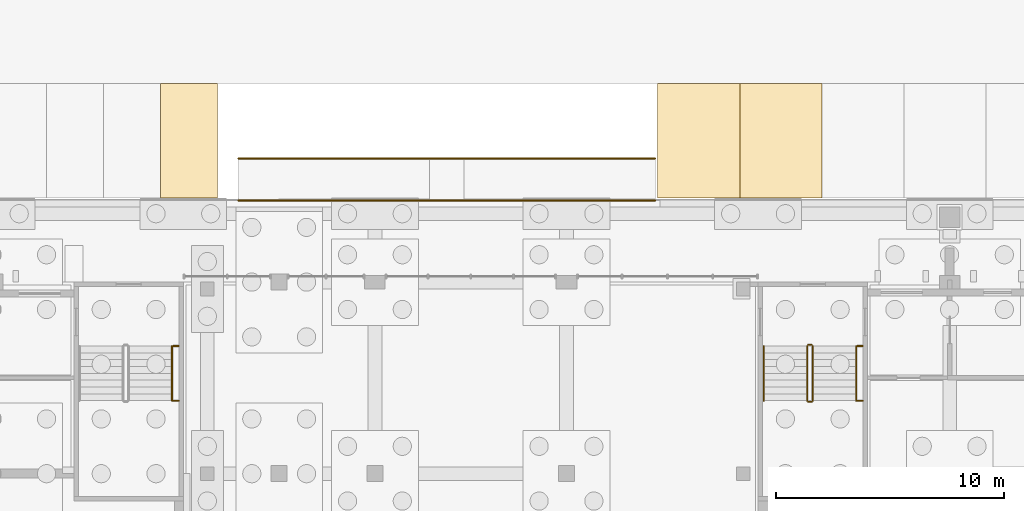
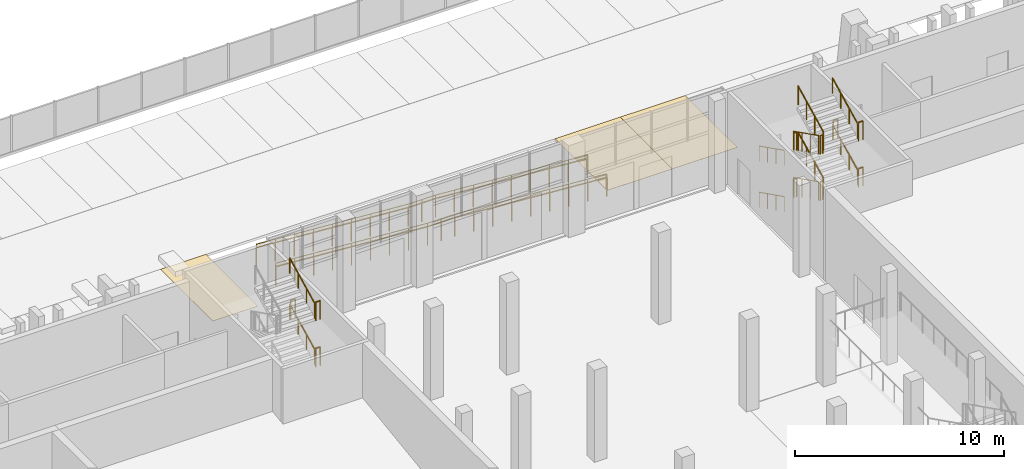
# One storey, part 118 of 129: 24 railings, 3 coverings.
"""IFC4 building model written with IfcOpenShell, lengths in metres."""

from ifc_helpers import new_model, si_unit, direction, frame, origin, origin_2d, place, context, subcontext, project, spatial, polyline, circle, outline, extrude, material, layer, layer_set, type_object, element, save


model = new_model("IFC4")

# Units and contexts
model_context = context("Model", 3, precision=1e-05, world=origin(), true_north=direction((0.0, 1.0)))
body_context = subcontext(model_context, "Body", "Model", "MODEL_VIEW")
ifc_project = project(units=[si_unit("LENGTHUNIT", "METRE"), si_unit("AREAUNIT", "SQUARE_METRE"), si_unit("VOLUMEUNIT", "CUBIC_METRE"), si_unit("PLANEANGLEUNIT", "RADIAN"), si_unit("MASSUNIT", "GRAM", prefix="KILO")], contexts=[model_context])

# Site, building, storey
site_placement = place(None, origin())
site = spatial("IfcSite", under=ifc_project, at=site_placement, CompositionType="ELEMENT")
building_placement = place(site_placement, origin())
building = spatial("IfcBuilding", under=site, at=building_placement, Name="Kiln Court Media Centre", CompositionType="ELEMENT")
storey_placement = place(building_placement, origin())
storey = spatial("IfcBuildingStorey", under=building, at=storey_placement, Name="L00", CompositionType="ELEMENT", Elevation=0.0)

# Railings
ifc_material_1 = material(Name="Steel S275", Category="steel")
railing_type_1 = type_object("IfcRailingType", Name="Steel S275 stair guard 1100", PredefinedType="GUARDRAIL", material=ifc_material_1)
for number, where, name in (
    (1, (33.14990234375, 62.0, 1.35009765625), "ST-08 landing edge guard"),
    (2, (33.14990234375, 64.39990234375, 2.699951171875), "ST-08 landing edge guard"),
    (3, (33.14990234375, 62.0, 4.050048828125), "ST-08 landing edge guard"),
):
    element("IfcRailing", number, at=place(storey_placement, frame(where)), inside=storey, type_object=railing_type_1, Name=name, PredefinedType="GUARDRAIL", context=body_context, shape_type="SweptSolid", body=[
        extrude(circle(Radius=0.02392578125, at=origin_2d()), frame((0.0, 0.0, 1.076171875), z_axis=(1.0, 0.0, 0.0), x_axis=(0.0, 1.0, 0.0)), (0.0, 0.0, 1.0), 0.25),
        extrude(circle(Radius=0.02099609375, at=origin_2d()), origin(), (0.0, 0.0, 1.0), 1.052001953125),
        extrude(circle(Radius=0.02099609375, at=origin_2d()), frame((0.25, 0.0, 0.0)), (0.0, 0.0, 1.0), 1.052001953125),
    ])
railing_1_placement = place(storey_placement, frame((60.949951171875, 64.39990234375, 0.14990234375)))
element("IfcRailing", 4, at=railing_1_placement, inside=storey, type_object=railing_type_1, Name="ST-11 stair guard", PredefinedType="GUARDRAIL", context=body_context, shape_type="SweptSolid", body=[
    extrude(circle(Radius=0.02392578125, at=origin_2d()), frame((0.0, 0.0, 1.076171875), z_axis=(0.0, -0.894390793703, 0.44728638269), x_axis=(1.0, 0.0, 0.0)), (0.0, 0.0, 1.0), 2.683349609375),
    extrude(circle(Radius=0.02099609375, at=origin_2d()), origin(), (0.0, 0.0, 1.0), 1.052001953125),
    extrude(circle(Radius=0.02099609375, at=origin_2d()), frame((0.0, -0.800048828125, 0.400146484375)), (0.0, 0.0, 1.0), 1.052001953125),
    extrude(circle(Radius=0.02099609375, at=origin_2d()), frame((0.0, -1.599853515625, 0.800048828125)), (0.0, 0.0, 1.0), 1.052001953125),
    extrude(circle(Radius=0.02099609375, at=origin_2d()), frame((0.0, -2.39990234375, 1.2001953125)), (0.0, 0.0, 1.0), 1.052001953125),
])
railing_2_placement = place(storey_placement, frame((61.0, 61.949951171875, 1.35009765625)))
element("IfcRailing", 5, at=railing_2_placement, inside=storey, type_object=railing_type_1, Name="ST-11 stair guard", PredefinedType="GUARDRAIL", context=body_context, shape_type="SweptSolid", body=[
    extrude(circle(Radius=0.02392578125, at=origin_2d()), frame((0.0, 0.0, 1.076171875), z_axis=(1.0, 0.0, 0.0), x_axis=(0.0, 1.0, 0.0)), (0.0, 0.0, 1.0), 0.14990234375),
    extrude(circle(Radius=0.02099609375, at=origin_2d()), origin(), (0.0, 0.0, 1.0), 1.052001953125),
    extrude(circle(Radius=0.02099609375, at=origin_2d()), frame((0.14990234375, 0.0, 0.0)), (0.0, 0.0, 1.0), 1.052001953125),
])
railing_3_placement = place(storey_placement, frame((61.199951171875, 62.0, 1.5)))
element("IfcRailing", 6, at=railing_3_placement, inside=storey, type_object=railing_type_1, Name="ST-11 stair guard", PredefinedType="GUARDRAIL", context=body_context, shape_type="SweptSolid", body=[
    extrude(circle(Radius=0.02392578125, at=origin_2d()), frame((0.0, 0.0, 1.076171875), z_axis=(0.0, 0.894427191, 0.4472135955), x_axis=(-1.0, 0.0, 0.0)), (0.0, 0.0, 1.0), 2.68310546875),
    extrude(circle(Radius=0.02099609375, at=origin_2d()), origin(), (0.0, 0.0, 1.0), 1.052001953125),
    extrude(circle(Radius=0.02099609375, at=origin_2d()), frame((0.0, 0.800048828125, 0.39990234375)), (0.0, 0.0, 1.0), 1.052001953125),
    extrude(circle(Radius=0.02099609375, at=origin_2d()), frame((0.0, 1.599853515625, 0.800048828125)), (0.0, 0.0, 1.0), 1.052001953125),
    extrude(circle(Radius=0.02099609375, at=origin_2d()), frame((0.0, 2.39990234375, 1.199951171875)), (0.0, 0.0, 1.0), 1.052001953125),
])
railing_4_placement = place(storey_placement, frame((61.0, 64.449951171875, 2.699951171875)))
element("IfcRailing", 7, at=railing_4_placement, inside=storey, type_object=railing_type_1, Name="ST-11 stair guard", PredefinedType="GUARDRAIL", context=body_context, shape_type="SweptSolid", body=[
    extrude(circle(Radius=0.02392578125, at=origin_2d()), frame((0.0, 0.0, 1.076171875), z_axis=(1.0, 0.0, 0.0), x_axis=(0.0, 1.0, 0.0)), (0.0, 0.0, 1.0), 0.14990234375),
    extrude(circle(Radius=0.02099609375, at=origin_2d()), origin(), (0.0, 0.0, 1.0), 1.052001953125),
    extrude(circle(Radius=0.02099609375, at=origin_2d()), frame((0.14990234375, 0.0, 0.0)), (0.0, 0.0, 1.0), 1.052001953125),
])
railing_5_placement = place(storey_placement, frame((60.949951171875, 64.39990234375, 2.85009765625)))
element("IfcRailing", 8, at=railing_5_placement, inside=storey, type_object=railing_type_1, Name="ST-11 stair guard", PredefinedType="GUARDRAIL", context=body_context, shape_type="SweptSolid", body=[
    extrude(circle(Radius=0.02392578125, at=origin_2d()), frame((0.0, 0.0, 1.076171875), z_axis=(0.0, -0.894427191, 0.4472135955), x_axis=(1.0, 0.0, 0.0)), (0.0, 0.0, 1.0), 2.68310546875),
    extrude(circle(Radius=0.02099609375, at=origin_2d()), origin(), (0.0, 0.0, 1.0), 1.052001953125),
    extrude(circle(Radius=0.02099609375, at=origin_2d()), frame((0.0, -0.800048828125, 0.39990234375)), (0.0, 0.0, 1.0), 1.052001953125),
    extrude(circle(Radius=0.02099609375, at=origin_2d()), frame((0.0, -1.599853515625, 0.800048828125)), (0.0, 0.0, 1.0), 1.052001953125),
    extrude(circle(Radius=0.02099609375, at=origin_2d()), frame((0.0, -2.39990234375, 1.199951171875)), (0.0, 0.0, 1.0), 1.052001953125),
])
railing_6_placement = place(storey_placement, frame((61.0, 61.949951171875, 4.050048828125)))
element("IfcRailing", 9, at=railing_6_placement, inside=storey, type_object=railing_type_1, Name="ST-11 stair guard", PredefinedType="GUARDRAIL", context=body_context, shape_type="SweptSolid", body=[
    extrude(circle(Radius=0.02392578125, at=origin_2d()), frame((0.0, 0.0, 1.076171875), z_axis=(1.0, 0.0, 0.0), x_axis=(0.0, 1.0, 0.0)), (0.0, 0.0, 1.0), 0.14990234375),
    extrude(circle(Radius=0.02099609375, at=origin_2d()), origin(), (0.0, 0.0, 1.0), 1.052001953125),
    extrude(circle(Radius=0.02099609375, at=origin_2d()), frame((0.14990234375, 0.0, 0.0)), (0.0, 0.0, 1.0), 1.052001953125),
])
railing_7_placement = place(storey_placement, frame((61.199951171875, 62.0, 4.199951171875)))
element("IfcRailing", 10, at=railing_7_placement, inside=storey, type_object=railing_type_1, Name="ST-11 stair guard", PredefinedType="GUARDRAIL", context=body_context, shape_type="SweptSolid", body=[
    extrude(circle(Radius=0.02392578125, at=origin_2d()), frame((0.0, 0.0, 1.076171875), z_axis=(0.0, 0.894427191, 0.4472135955), x_axis=(-1.0, 0.0, 0.0)), (0.0, 0.0, 1.0), 2.68310546875),
    extrude(circle(Radius=0.02099609375, at=origin_2d()), origin(), (0.0, 0.0, 1.0), 1.052001953125),
    extrude(circle(Radius=0.02099609375, at=origin_2d()), frame((0.0, 0.800048828125, 0.39990234375)), (0.0, 0.0, 1.0), 1.052001953125),
    extrude(circle(Radius=0.02099609375, at=origin_2d()), frame((0.0, 1.599853515625, 0.800048828125)), (0.0, 0.0, 1.0), 1.052001953125),
    extrude(circle(Radius=0.02099609375, at=origin_2d()), frame((0.0, 2.39990234375, 1.199951171875)), (0.0, 0.0, 1.0), 1.052001953125),
])
railing_8_placement = place(storey_placement, frame((61.0, 64.449951171875, 0.0)))
element("IfcRailing", 11, at=railing_8_placement, inside=storey, type_object=railing_type_1, Name="ST-11 stair guard", PredefinedType="GUARDRAIL", context=body_context, shape_type="SweptSolid", body=[
    extrude(circle(Radius=0.02392578125, at=origin_2d()), frame((0.0, 0.0, 1.076171875), z_axis=(1.0, 0.0, 0.0), x_axis=(0.0, 1.0, 0.0)), (0.0, 0.0, 1.0), 0.14990234375),
    extrude(circle(Radius=0.02099609375, at=origin_2d()), origin(), (0.0, 0.0, 1.0), 1.052001953125),
    extrude(circle(Radius=0.02099609375, at=origin_2d()), frame((0.14990234375, 0.0, 0.0)), (0.0, 0.0, 1.0), 1.052001953125),
])
for number, where, name in (
    (12, (63.14990234375, 62.0, 1.35009765625), "ST-11 landing edge guard"),
    (13, (63.14990234375, 64.39990234375, 2.699951171875), "ST-11 landing edge guard"),
    (14, (63.14990234375, 62.0, 4.050048828125), "ST-11 landing edge guard"),
):
    element("IfcRailing", number, at=place(storey_placement, frame(where)), inside=storey, type_object=railing_type_1, Name=name, PredefinedType="GUARDRAIL", context=body_context, shape_type="SweptSolid", body=[
        extrude(circle(Radius=0.02392578125, at=origin_2d()), frame((0.0, 0.0, 1.076171875), z_axis=(1.0, 0.0, 0.0), x_axis=(0.0, 1.0, 0.0)), (0.0, 0.0, 1.0), 0.25),
        extrude(circle(Radius=0.02099609375, at=origin_2d()), origin(), (0.0, 0.0, 1.0), 1.052001953125),
        extrude(circle(Radius=0.02099609375, at=origin_2d()), frame((0.25, 0.0, 0.0)), (0.0, 0.0, 1.0), 1.052001953125),
    ])
ifc_material_2 = material(Name="Steel S275", Category="steel")
railing_type_2 = type_object("IfcRailingType", Name="Steel S275 stair handrail 900", PredefinedType="HANDRAIL", material=ifc_material_2)
for number, where, name in (
    (15, (33.10009765625, 62.0, 1.5), "ST-08 stair handrail"),
    (16, (33.10009765625, 62.0, 4.199951171875), "ST-08 stair handrail"),
):
    element("IfcRailing", number, at=place(storey_placement, frame(where)), inside=storey, type_object=railing_type_2, Name=name, PredefinedType="HANDRAIL", context=body_context, shape_type="SweptSolid", body=[
        extrude(circle(Radius=0.02392578125, at=origin_2d()), frame((0.0, 0.0, 0.8759765625), z_axis=(0.0, 0.894427191, 0.4472135955), x_axis=(-1.0, 0.0, 0.0)), (0.0, 0.0, 1.0), 2.68310546875),
        extrude(circle(Radius=0.02099609375, at=origin_2d()), origin(), (0.0, 0.0, 1.0), 0.851806640625),
        extrude(circle(Radius=0.02099609375, at=origin_2d()), frame((0.0, 0.800048828125, 0.39990234375)), (0.0, 0.0, 1.0), 0.851806640625),
        extrude(circle(Radius=0.02099609375, at=origin_2d()), frame((0.0, 1.599853515625, 0.800048828125)), (0.0, 0.0, 1.0), 0.851806640625),
        extrude(circle(Radius=0.02099609375, at=origin_2d()), frame((0.0, 2.39990234375, 1.199951171875)), (0.0, 0.0, 1.0), 0.851806640625),
    ])
railing_9_placement = place(storey_placement, frame((59.050048828125, 64.39990234375, 0.14990234375)))
element("IfcRailing", 17, at=railing_9_placement, inside=storey, type_object=railing_type_2, Name="ST-11 stair handrail", PredefinedType="HANDRAIL", context=body_context, shape_type="SweptSolid", body=[
    extrude(circle(Radius=0.02392578125, at=origin_2d()), frame((0.0, 0.0, 0.8759765625), z_axis=(0.0, -0.894390793703, 0.44728638269), x_axis=(1.0, 0.0, 0.0)), (0.0, 0.0, 1.0), 2.683349609375),
    extrude(circle(Radius=0.02099609375, at=origin_2d()), origin(), (0.0, 0.0, 1.0), 0.851806640625),
    extrude(circle(Radius=0.02099609375, at=origin_2d()), frame((0.0, -0.800048828125, 0.400146484375)), (0.0, 0.0, 1.0), 0.851806640625),
    extrude(circle(Radius=0.02099609375, at=origin_2d()), frame((0.0, -1.599853515625, 0.800048828125)), (0.0, 0.0, 1.0), 0.851806640625),
    extrude(circle(Radius=0.02099609375, at=origin_2d()), frame((0.0, -2.39990234375, 1.2001953125)), (0.0, 0.0, 1.0), 0.851806640625),
])
railing_10_placement = place(storey_placement, frame((63.10009765625, 62.0, 1.5)))
element("IfcRailing", 18, at=railing_10_placement, inside=storey, type_object=railing_type_2, Name="ST-11 stair handrail", PredefinedType="HANDRAIL", context=body_context, shape_type="SweptSolid", body=[
    extrude(circle(Radius=0.02392578125, at=origin_2d()), frame((0.0, 0.0, 0.8759765625), z_axis=(0.0, 0.894427191, 0.4472135955), x_axis=(-1.0, 0.0, 0.0)), (0.0, 0.0, 1.0), 2.68310546875),
    extrude(circle(Radius=0.02099609375, at=origin_2d()), origin(), (0.0, 0.0, 1.0), 0.851806640625),
    extrude(circle(Radius=0.02099609375, at=origin_2d()), frame((0.0, 0.800048828125, 0.39990234375)), (0.0, 0.0, 1.0), 0.851806640625),
    extrude(circle(Radius=0.02099609375, at=origin_2d()), frame((0.0, 1.599853515625, 0.800048828125)), (0.0, 0.0, 1.0), 0.851806640625),
    extrude(circle(Radius=0.02099609375, at=origin_2d()), frame((0.0, 2.39990234375, 1.199951171875)), (0.0, 0.0, 1.0), 0.851806640625),
])
railing_11_placement = place(storey_placement, frame((59.050048828125, 64.39990234375, 2.85009765625)))
element("IfcRailing", 19, at=railing_11_placement, inside=storey, type_object=railing_type_2, Name="ST-11 stair handrail", PredefinedType="HANDRAIL", context=body_context, shape_type="SweptSolid", body=[
    extrude(circle(Radius=0.02392578125, at=origin_2d()), frame((0.0, 0.0, 0.8759765625), z_axis=(0.0, -0.894427191, 0.4472135955), x_axis=(1.0, 0.0, 0.0)), (0.0, 0.0, 1.0), 2.68310546875),
    extrude(circle(Radius=0.02099609375, at=origin_2d()), origin(), (0.0, 0.0, 1.0), 0.851806640625),
    extrude(circle(Radius=0.02099609375, at=origin_2d()), frame((0.0, -0.800048828125, 0.39990234375)), (0.0, 0.0, 1.0), 0.851806640625),
    extrude(circle(Radius=0.02099609375, at=origin_2d()), frame((0.0, -1.599853515625, 0.800048828125)), (0.0, 0.0, 1.0), 0.851806640625),
    extrude(circle(Radius=0.02099609375, at=origin_2d()), frame((0.0, -2.39990234375, 1.199951171875)), (0.0, 0.0, 1.0), 0.851806640625),
])
railing_12_placement = place(storey_placement, frame((63.10009765625, 62.0, 4.199951171875)))
element("IfcRailing", 20, at=railing_12_placement, inside=storey, type_object=railing_type_2, Name="ST-11 stair handrail", PredefinedType="HANDRAIL", context=body_context, shape_type="SweptSolid", body=[
    extrude(circle(Radius=0.02392578125, at=origin_2d()), frame((0.0, 0.0, 0.8759765625), z_axis=(0.0, 0.894427191, 0.4472135955), x_axis=(-1.0, 0.0, 0.0)), (0.0, 0.0, 1.0), 2.68310546875),
    extrude(circle(Radius=0.02099609375, at=origin_2d()), origin(), (0.0, 0.0, 1.0), 0.851806640625),
    extrude(circle(Radius=0.02099609375, at=origin_2d()), frame((0.0, 0.800048828125, 0.39990234375)), (0.0, 0.0, 1.0), 0.851806640625),
    extrude(circle(Radius=0.02099609375, at=origin_2d()), frame((0.0, 1.599853515625, 0.800048828125)), (0.0, 0.0, 1.0), 0.851806640625),
    extrude(circle(Radius=0.02099609375, at=origin_2d()), frame((0.0, 2.39990234375, 1.199951171875)), (0.0, 0.0, 1.0), 0.851806640625),
])
ifc_material_3 = material(Name="Steel ASTM A572 Gr 50", Category="steel")
railing_type_3 = type_object("IfcRailingType", Name="Steel guard rail 1100", PredefinedType="GUARDRAIL", material=ifc_material_3)
railing_13_placement = place(storey_placement, frame((36.0, 70.779052734375, -0.199951171875)))
element("IfcRailing", 21, at=railing_13_placement, inside=storey, type_object=railing_type_3, Name="Rear court ramp guard 1", PredefinedType="GUARDRAIL", context=body_context, shape_type="SweptSolid", body=[
    extrude(circle(Radius=0.02392578125, at=origin_2d()), frame((0.0, 0.0, 1.27587890625), z_axis=(0.997457816785, 0.0, -0.071259411546), x_axis=(0.0, 1.0, 0.0)), (0.0, 0.0, 1.0), 8.42138671875),
    extrude(circle(Radius=0.02392578125, at=origin_2d()), frame((8.39990234375, 0.0, 0.67578125), z_axis=(1.0, 0.0, 0.0), x_axis=(0.0, 1.0, 0.0)), (0.0, 0.0, 1.0), 1.5),
    extrude(circle(Radius=0.02392578125, at=origin_2d()), frame((9.89990234375, 0.0, 0.67578125), z_axis=(0.997460024076, 0.0, -0.071228508128), x_axis=(0.0, 1.0, 0.0)), (0.0, 0.0, 1.0), 8.421630859375),
    extrude(circle(Radius=0.02099609375, at=origin_2d()), origin(), (0.0, 0.0, 1.0), 1.251953125),
    extrude(circle(Radius=0.02099609375, at=origin_2d()), frame((1.050048828125, 0.0, -0.074951171875)), (0.0, 0.0, 1.0), 1.251953125),
    extrude(circle(Radius=0.02099609375, at=origin_2d()), frame((2.10009765625, 0.0, -0.14990234375)), (0.0, 0.0, 1.0), 1.251953125),
    extrude(circle(Radius=0.02099609375, at=origin_2d()), frame((3.14990234375, 0.0, -0.22509765625)), (0.0, 0.0, 1.0), 1.251953125),
    extrude(circle(Radius=0.02099609375, at=origin_2d()), frame((4.199951171875, 0.0, -0.300048828125)), (0.0, 0.0, 1.0), 1.251953125),
    extrude(circle(Radius=0.02099609375, at=origin_2d()), frame((5.25, 0.0, -0.375)), (0.0, 0.0, 1.0), 1.251953125),
    extrude(circle(Radius=0.02099609375, at=origin_2d()), frame((6.2998046875, 0.0, -0.4501953125)), (0.0, 0.0, 1.0), 1.251953125),
    extrude(circle(Radius=0.02099609375, at=origin_2d()), frame((7.349853515625, 0.0, -0.525146484375)), (0.0, 0.0, 1.0), 1.251953125),
    extrude(circle(Radius=0.02099609375, at=origin_2d()), frame((8.39990234375, 0.0, -0.60009765625)), (0.0, 0.0, 1.0), 1.251953125),
    extrude(circle(Radius=0.02099609375, at=origin_2d()), frame((9.14990234375, 0.0, -0.60009765625)), (0.0, 0.0, 1.0), 1.251953125),
    extrude(circle(Radius=0.02099609375, at=origin_2d()), frame((9.89990234375, 0.0, -0.60009765625)), (0.0, 0.0, 1.0), 1.251953125),
    extrude(circle(Radius=0.02099609375, at=origin_2d()), frame((10.949951171875, 0.0, -0.675048828125)), (0.0, 0.0, 1.0), 1.251953125),
    extrude(circle(Radius=0.02099609375, at=origin_2d()), frame((12.0, 0.0, -0.75)), (0.0, 0.0, 1.0), 1.251953125),
    extrude(circle(Radius=0.02099609375, at=origin_2d()), frame((13.050048828125, 0.0, -0.824951171875)), (0.0, 0.0, 1.0), 1.251953125),
    extrude(circle(Radius=0.02099609375, at=origin_2d()), frame((14.10009765625, 0.0, -0.89990234375)), (0.0, 0.0, 1.0), 1.251953125),
    extrude(circle(Radius=0.02099609375, at=origin_2d()), frame((15.14990234375, 0.0, -0.97509765625)), (0.0, 0.0, 1.0), 1.251953125),
    extrude(circle(Radius=0.02099609375, at=origin_2d()), frame((16.199951171875, 0.0, -1.050048828125)), (0.0, 0.0, 1.0), 1.251953125),
    extrude(circle(Radius=0.02099609375, at=origin_2d()), frame((17.25, 0.0, -1.125)), (0.0, 0.0, 1.0), 1.251953125),
    extrude(circle(Radius=0.02099609375, at=origin_2d()), frame((18.300048828125, 0.0, -1.199951171875)), (0.0, 0.0, 1.0), 1.251953125),
])
railing_14_placement = place(storey_placement, frame((36.0, 72.62109375, -0.199951171875)))
element("IfcRailing", 22, at=railing_14_placement, inside=storey, type_object=railing_type_3, Name="Rear court ramp guard 2", PredefinedType="GUARDRAIL", context=body_context, shape_type="SweptSolid", body=[
    extrude(circle(Radius=0.02392578125, at=origin_2d()), frame((0.0, 0.0, 1.27587890625), z_axis=(0.997457816785, 0.0, -0.071259411546), x_axis=(0.0, 1.0, 0.0)), (0.0, 0.0, 1.0), 8.42138671875),
    extrude(circle(Radius=0.02392578125, at=origin_2d()), frame((8.39990234375, 0.0, 0.67578125), z_axis=(1.0, 0.0, 0.0), x_axis=(0.0, 1.0, 0.0)), (0.0, 0.0, 1.0), 1.5),
    extrude(circle(Radius=0.02392578125, at=origin_2d()), frame((9.89990234375, 0.0, 0.67578125), z_axis=(0.997460024076, 0.0, -0.071228508128), x_axis=(0.0, 1.0, 0.0)), (0.0, 0.0, 1.0), 8.421630859375),
    extrude(circle(Radius=0.02099609375, at=origin_2d()), origin(), (0.0, 0.0, 1.0), 1.251953125),
    extrude(circle(Radius=0.02099609375, at=origin_2d()), frame((1.050048828125, 0.0, -0.074951171875)), (0.0, 0.0, 1.0), 1.251953125),
    extrude(circle(Radius=0.02099609375, at=origin_2d()), frame((2.10009765625, 0.0, -0.14990234375)), (0.0, 0.0, 1.0), 1.251953125),
    extrude(circle(Radius=0.02099609375, at=origin_2d()), frame((3.14990234375, 0.0, -0.22509765625)), (0.0, 0.0, 1.0), 1.251953125),
    extrude(circle(Radius=0.02099609375, at=origin_2d()), frame((4.199951171875, 0.0, -0.300048828125)), (0.0, 0.0, 1.0), 1.251953125),
    extrude(circle(Radius=0.02099609375, at=origin_2d()), frame((5.25, 0.0, -0.375)), (0.0, 0.0, 1.0), 1.251953125),
    extrude(circle(Radius=0.02099609375, at=origin_2d()), frame((6.2998046875, 0.0, -0.4501953125)), (0.0, 0.0, 1.0), 1.251953125),
    extrude(circle(Radius=0.02099609375, at=origin_2d()), frame((7.349853515625, 0.0, -0.525146484375)), (0.0, 0.0, 1.0), 1.251953125),
    extrude(circle(Radius=0.02099609375, at=origin_2d()), frame((8.39990234375, 0.0, -0.60009765625)), (0.0, 0.0, 1.0), 1.251953125),
    extrude(circle(Radius=0.02099609375, at=origin_2d()), frame((9.14990234375, 0.0, -0.60009765625)), (0.0, 0.0, 1.0), 1.251953125),
    extrude(circle(Radius=0.02099609375, at=origin_2d()), frame((9.89990234375, 0.0, -0.60009765625)), (0.0, 0.0, 1.0), 1.251953125),
    extrude(circle(Radius=0.02099609375, at=origin_2d()), frame((10.949951171875, 0.0, -0.675048828125)), (0.0, 0.0, 1.0), 1.251953125),
    extrude(circle(Radius=0.02099609375, at=origin_2d()), frame((12.0, 0.0, -0.75)), (0.0, 0.0, 1.0), 1.251953125),
    extrude(circle(Radius=0.02099609375, at=origin_2d()), frame((13.050048828125, 0.0, -0.824951171875)), (0.0, 0.0, 1.0), 1.251953125),
    extrude(circle(Radius=0.02099609375, at=origin_2d()), frame((14.10009765625, 0.0, -0.89990234375)), (0.0, 0.0, 1.0), 1.251953125),
    extrude(circle(Radius=0.02099609375, at=origin_2d()), frame((15.14990234375, 0.0, -0.97509765625)), (0.0, 0.0, 1.0), 1.251953125),
    extrude(circle(Radius=0.02099609375, at=origin_2d()), frame((16.199951171875, 0.0, -1.050048828125)), (0.0, 0.0, 1.0), 1.251953125),
    extrude(circle(Radius=0.02099609375, at=origin_2d()), frame((17.25, 0.0, -1.125)), (0.0, 0.0, 1.0), 1.251953125),
    extrude(circle(Radius=0.02099609375, at=origin_2d()), frame((18.300048828125, 0.0, -1.199951171875)), (0.0, 0.0, 1.0), 1.251953125),
])
ifc_material_4 = material(Name="Steel ASTM A572 Gr 50", Category="steel")
railing_type_4 = type_object("IfcRailingType", Name="Steel handrail 900", PredefinedType="HANDRAIL", material=ifc_material_4)
railing_15_placement = place(storey_placement, frame((36.0, 70.779052734375, -0.199951171875)))
element("IfcRailing", 23, at=railing_15_placement, inside=storey, type_object=railing_type_4, Name="Rear court ramp handrail 1", PredefinedType="HANDRAIL", context=body_context, shape_type="SweptSolid", body=[
    extrude(circle(Radius=0.02392578125, at=origin_2d()), frame((0.0, 0.0, 1.076171875), z_axis=(0.997457816785, 0.0, -0.071259411546), x_axis=(0.0, 1.0, 0.0)), (0.0, 0.0, 1.0), 8.42138671875),
    extrude(circle(Radius=0.02392578125, at=origin_2d()), frame((8.39990234375, 0.0, 0.47607421875), z_axis=(1.0, 0.0, 0.0), x_axis=(0.0, 1.0, 0.0)), (0.0, 0.0, 1.0), 1.5),
    extrude(circle(Radius=0.02392578125, at=origin_2d()), frame((9.89990234375, 0.0, 0.47607421875), z_axis=(0.997460024076, 0.0, -0.071228508128), x_axis=(0.0, 1.0, 0.0)), (0.0, 0.0, 1.0), 8.421630859375),
    extrude(circle(Radius=0.02099609375, at=origin_2d()), origin(), (0.0, 0.0, 1.0), 1.052001953125),
    extrude(circle(Radius=0.02099609375, at=origin_2d()), frame((1.050048828125, 0.0, -0.074951171875)), (0.0, 0.0, 1.0), 1.052001953125),
    extrude(circle(Radius=0.02099609375, at=origin_2d()), frame((2.10009765625, 0.0, -0.14990234375)), (0.0, 0.0, 1.0), 1.052001953125),
    extrude(circle(Radius=0.02099609375, at=origin_2d()), frame((3.14990234375, 0.0, -0.22509765625)), (0.0, 0.0, 1.0), 1.052001953125),
    extrude(circle(Radius=0.02099609375, at=origin_2d()), frame((4.199951171875, 0.0, -0.300048828125)), (0.0, 0.0, 1.0), 1.052001953125),
    extrude(circle(Radius=0.02099609375, at=origin_2d()), frame((5.25, 0.0, -0.375)), (0.0, 0.0, 1.0), 1.052001953125),
    extrude(circle(Radius=0.02099609375, at=origin_2d()), frame((6.2998046875, 0.0, -0.4501953125)), (0.0, 0.0, 1.0), 1.052001953125),
    extrude(circle(Radius=0.02099609375, at=origin_2d()), frame((7.349853515625, 0.0, -0.525146484375)), (0.0, 0.0, 1.0), 1.052001953125),
    extrude(circle(Radius=0.02099609375, at=origin_2d()), frame((8.39990234375, 0.0, -0.60009765625)), (0.0, 0.0, 1.0), 1.052001953125),
    extrude(circle(Radius=0.02099609375, at=origin_2d()), frame((9.14990234375, 0.0, -0.60009765625)), (0.0, 0.0, 1.0), 1.052001953125),
    extrude(circle(Radius=0.02099609375, at=origin_2d()), frame((9.89990234375, 0.0, -0.60009765625)), (0.0, 0.0, 1.0), 1.052001953125),
    extrude(circle(Radius=0.02099609375, at=origin_2d()), frame((10.949951171875, 0.0, -0.675048828125)), (0.0, 0.0, 1.0), 1.052001953125),
    extrude(circle(Radius=0.02099609375, at=origin_2d()), frame((12.0, 0.0, -0.75)), (0.0, 0.0, 1.0), 1.052001953125),
    extrude(circle(Radius=0.02099609375, at=origin_2d()), frame((13.050048828125, 0.0, -0.824951171875)), (0.0, 0.0, 1.0), 1.052001953125),
    extrude(circle(Radius=0.02099609375, at=origin_2d()), frame((14.10009765625, 0.0, -0.89990234375)), (0.0, 0.0, 1.0), 1.052001953125),
    extrude(circle(Radius=0.02099609375, at=origin_2d()), frame((15.14990234375, 0.0, -0.97509765625)), (0.0, 0.0, 1.0), 1.052001953125),
    extrude(circle(Radius=0.02099609375, at=origin_2d()), frame((16.199951171875, 0.0, -1.050048828125)), (0.0, 0.0, 1.0), 1.052001953125),
    extrude(circle(Radius=0.02099609375, at=origin_2d()), frame((17.25, 0.0, -1.125)), (0.0, 0.0, 1.0), 1.052001953125),
    extrude(circle(Radius=0.02099609375, at=origin_2d()), frame((18.300048828125, 0.0, -1.199951171875)), (0.0, 0.0, 1.0), 1.052001953125),
])
railing_16_placement = place(storey_placement, frame((36.0, 72.62109375, -0.199951171875)))
element("IfcRailing", 24, at=railing_16_placement, inside=storey, type_object=railing_type_4, Name="Rear court ramp handrail 2", PredefinedType="HANDRAIL", context=body_context, shape_type="SweptSolid", body=[
    extrude(circle(Radius=0.02392578125, at=origin_2d()), frame((0.0, 0.0, 1.076171875), z_axis=(0.997457816785, 0.0, -0.071259411546), x_axis=(0.0, 1.0, 0.0)), (0.0, 0.0, 1.0), 8.42138671875),
    extrude(circle(Radius=0.02392578125, at=origin_2d()), frame((8.39990234375, 0.0, 0.47607421875), z_axis=(1.0, 0.0, 0.0), x_axis=(0.0, 1.0, 0.0)), (0.0, 0.0, 1.0), 1.5),
    extrude(circle(Radius=0.02392578125, at=origin_2d()), frame((9.89990234375, 0.0, 0.47607421875), z_axis=(0.997460024076, 0.0, -0.071228508128), x_axis=(0.0, 1.0, 0.0)), (0.0, 0.0, 1.0), 8.421630859375),
    extrude(circle(Radius=0.02099609375, at=origin_2d()), origin(), (0.0, 0.0, 1.0), 1.052001953125),
    extrude(circle(Radius=0.02099609375, at=origin_2d()), frame((1.050048828125, 0.0, -0.074951171875)), (0.0, 0.0, 1.0), 1.052001953125),
    extrude(circle(Radius=0.02099609375, at=origin_2d()), frame((2.10009765625, 0.0, -0.14990234375)), (0.0, 0.0, 1.0), 1.052001953125),
    extrude(circle(Radius=0.02099609375, at=origin_2d()), frame((3.14990234375, 0.0, -0.22509765625)), (0.0, 0.0, 1.0), 1.052001953125),
    extrude(circle(Radius=0.02099609375, at=origin_2d()), frame((4.199951171875, 0.0, -0.300048828125)), (0.0, 0.0, 1.0), 1.052001953125),
    extrude(circle(Radius=0.02099609375, at=origin_2d()), frame((5.25, 0.0, -0.375)), (0.0, 0.0, 1.0), 1.052001953125),
    extrude(circle(Radius=0.02099609375, at=origin_2d()), frame((6.2998046875, 0.0, -0.4501953125)), (0.0, 0.0, 1.0), 1.052001953125),
    extrude(circle(Radius=0.02099609375, at=origin_2d()), frame((7.349853515625, 0.0, -0.525146484375)), (0.0, 0.0, 1.0), 1.052001953125),
    extrude(circle(Radius=0.02099609375, at=origin_2d()), frame((8.39990234375, 0.0, -0.60009765625)), (0.0, 0.0, 1.0), 1.052001953125),
    extrude(circle(Radius=0.02099609375, at=origin_2d()), frame((9.14990234375, 0.0, -0.60009765625)), (0.0, 0.0, 1.0), 1.052001953125),
    extrude(circle(Radius=0.02099609375, at=origin_2d()), frame((9.89990234375, 0.0, -0.60009765625)), (0.0, 0.0, 1.0), 1.052001953125),
    extrude(circle(Radius=0.02099609375, at=origin_2d()), frame((10.949951171875, 0.0, -0.675048828125)), (0.0, 0.0, 1.0), 1.052001953125),
    extrude(circle(Radius=0.02099609375, at=origin_2d()), frame((12.0, 0.0, -0.75)), (0.0, 0.0, 1.0), 1.052001953125),
    extrude(circle(Radius=0.02099609375, at=origin_2d()), frame((13.050048828125, 0.0, -0.824951171875)), (0.0, 0.0, 1.0), 1.052001953125),
    extrude(circle(Radius=0.02099609375, at=origin_2d()), frame((14.10009765625, 0.0, -0.89990234375)), (0.0, 0.0, 1.0), 1.052001953125),
    extrude(circle(Radius=0.02099609375, at=origin_2d()), frame((15.14990234375, 0.0, -0.97509765625)), (0.0, 0.0, 1.0), 1.052001953125),
    extrude(circle(Radius=0.02099609375, at=origin_2d()), frame((16.199951171875, 0.0, -1.050048828125)), (0.0, 0.0, 1.0), 1.052001953125),
    extrude(circle(Radius=0.02099609375, at=origin_2d()), frame((17.25, 0.0, -1.125)), (0.0, 0.0, 1.0), 1.052001953125),
    extrude(circle(Radius=0.02099609375, at=origin_2d()), frame((18.300048828125, 0.0, -1.199951171875)), (0.0, 0.0, 1.0), 1.052001953125),
])

# Coverings
ifc_material_5 = material(Name="Thermoplastic road marking", Category="coating")
ifc_layer_1 = layer(ifc_material_5, 0.010009765625)
ifc_layer_set_1 = layer_set([ifc_layer_1], Name="Thermoplastic accessible car bay marking 3600x5000")
covering_type_1 = type_object("IfcCoveringType", Name="Thermoplastic accessible car bay marking 3600x5000", PredefinedType="FLOORING", material=ifc_layer_set_1)
covering_1_placement = place(storey_placement, frame((0.0, 0.0, -1.199951171875)))
element("IfcCovering", 25, at=covering_1_placement, inside=storey, type_object=covering_type_1, Name="Accessible car bay PA01", PredefinedType="FLOORING", context=body_context, shape_type="SweptSolid", body=[
    extrude(outline(polyline([(54.39990234375, 70.89990234375), (58.0, 70.89990234375), (58.0, 75.89990234375), (54.39990234375, 75.89990234375), (54.39990234375, 70.89990234375)])), origin(), (0.0, 0.0, 1.0), 0.010009765625),
])
covering_2_placement = place(storey_placement, frame((0.0, 0.0, -1.199951171875)))
element("IfcCovering", 26, at=covering_2_placement, inside=storey, type_object=covering_type_1, Name="Accessible car bay PA02", PredefinedType="FLOORING", context=body_context, shape_type="SweptSolid", body=[
    extrude(outline(polyline([(58.0, 70.89990234375), (61.60009765625, 70.89990234375), (61.60009765625, 75.89990234375), (58.0, 75.89990234375), (58.0, 70.89990234375)])), origin(), (0.0, 0.0, 1.0), 0.010009765625),
])
ifc_material_6 = material(Name="Thermoplastic road marking", Category="coating")
ifc_layer_2 = layer(ifc_material_6, 0.010009765625)
ifc_layer_set_2 = layer_set([ifc_layer_2], Name="Thermoplastic standard car bay marking 2500x5000")
covering_type_2 = type_object("IfcCoveringType", Name="Thermoplastic standard car bay marking 2500x5000", PredefinedType="FLOORING", material=ifc_layer_set_2)
covering_3_placement = place(storey_placement, frame((0.0, 0.0, -1.199951171875)))
element("IfcCovering", 27, at=covering_3_placement, inside=storey, type_object=covering_type_2, Name="Car bay P073", PredefinedType="FLOORING", context=body_context, shape_type="SweptSolid", body=[
    extrude(outline(polyline([(32.60009765625, 70.89990234375), (35.10009765625, 70.89990234375), (35.10009765625, 75.89990234375), (32.60009765625, 75.89990234375), (32.60009765625, 70.89990234375)])), origin(), (0.0, 0.0, 1.0), 0.010009765625),
])

save(model, "model.ifc")
